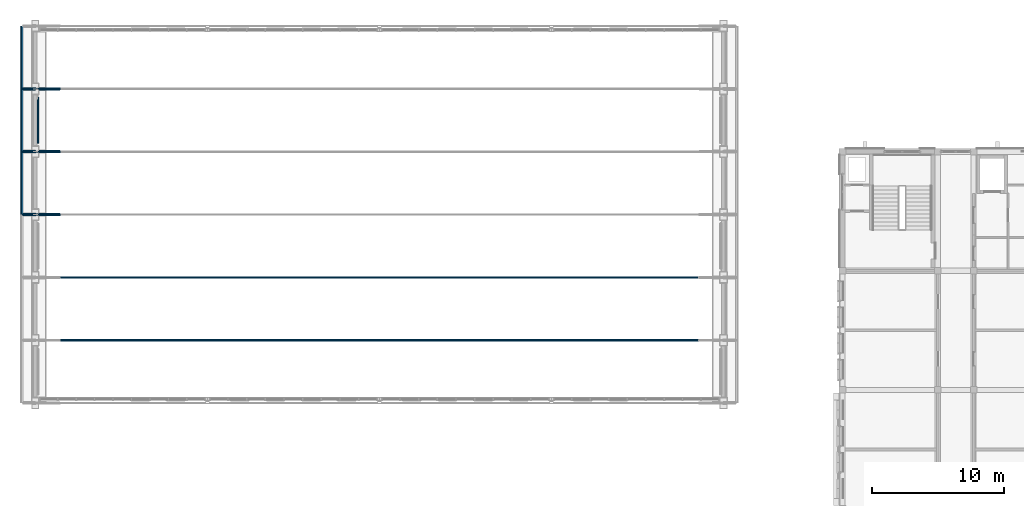
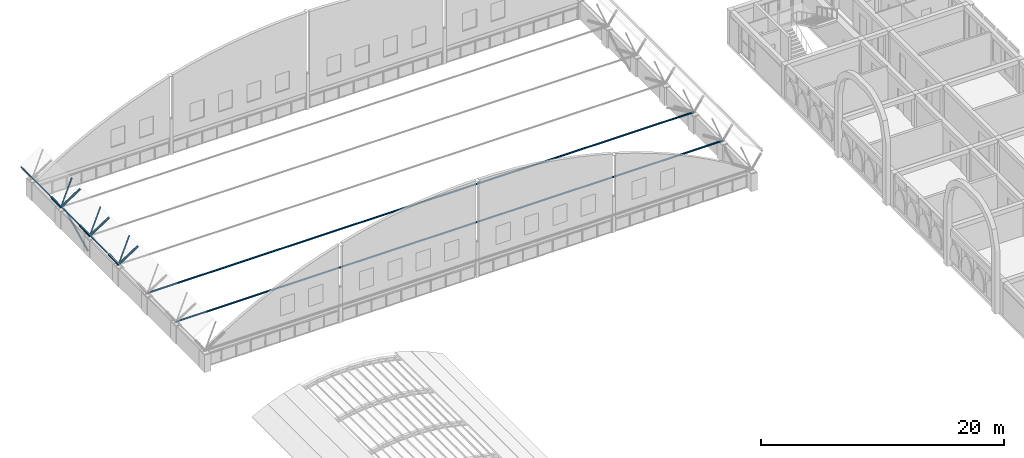
# One storey, part 13 of 65: 15 members.
"""IFC4 building model written with IfcOpenShell, lengths in metres."""

import ifcopenshell
import ifcopenshell.guid

model = None  # the IFC model being written
_history = None  # IfcOwnerHistory: only IFC2X3 demands one
_inside = {}  # id of a spatial element -> (the spatial element, [elements in it])
_under = {}  # id of a project, library or spatial element -> (it, [spatial elements below it])
_declared = {}  # id of a project -> (the project, [libraries it declares])
_typed = {}  # id of a type object -> (the type object, [elements of that type])
_made_of = {}  # id of a material, layer set ... -> (it, [elements and type objects made of it])


def new_model(schema):
    """Start an empty IFC model of exactly this schema.

    Asked for "IFC4X3", IfcOpenShell would pick the latest addendum, in which some entities
    have other attributes; the version numbers below select the first issue.
    IFC2X3 requires an IfcOwnerHistory on every rooted entity: one is made here for all.
    """
    global model, _history
    if schema == "IFC4X3":
        model = ifcopenshell.file(schema_version=(4, 3, 0, 0))
    else:
        model = ifcopenshell.file(schema=schema)
    _inside.clear()
    _under.clear()
    _declared.clear()
    _typed.clear()
    _made_of.clear()
    _history = None
    if model.schema == "IFC2X3":
        org = make("IfcOrganization", Name="unknown")
        user = make(
            "IfcPersonAndOrganization",
            ThePerson=make("IfcPerson", FamilyName="unknown"),
            TheOrganization=org,
        )
        app = make(
            "IfcApplication",
            ApplicationDeveloper=org,
            Version="unknown",
            ApplicationFullName="unknown",
            ApplicationIdentifier="unknown",
        )
        _history = make(
            "IfcOwnerHistory",
            OwningUser=user,
            OwningApplication=app,
            ChangeAction="ADDED",
            CreationDate=0,
        )
    return model


def make(cls, **values):
    """One entity of the class cls with the attributes given. An attribute that is None is left unset."""
    return model.create_entity(
        cls, **{name: value for name, value in values.items() if value is not None}
    )


def rooted(cls, **values):
    """An entity with a GlobalId (a new one), such as an element, a storey or a relation."""
    return make(cls, GlobalId=ifcopenshell.guid.new(), OwnerHistory=_history, **values)


def si_unit(unit_type, name, prefix=None):
    """IfcSIUnit, for example si_unit("LENGTHUNIT", "METRE", prefix="MILLI")."""
    return make("IfcSIUnit", UnitType=unit_type, Prefix=prefix, Name=name)


def assignment(units):
    """IfcUnitAssignment: the units of a project."""
    return None if units is None else make("IfcUnitAssignment", Units=units)


def point(xyz):
    """IfcCartesianPoint."""
    return None if xyz is None else make("IfcCartesianPoint", Coordinates=xyz)


def direction(xyz):
    """IfcDirection."""
    return None if xyz is None else make("IfcDirection", DirectionRatios=xyz)


def frame(location, z_axis=None, x_axis=None):
    """IfcAxis2Placement3D, a coordinate frame: its origin and axes. An axis left out is left unset."""
    return make(
        "IfcAxis2Placement3D",
        Location=point(location),
        Axis=direction(z_axis),
        RefDirection=direction(x_axis),
    )


def frame_2d(location, x_axis=None):
    """IfcAxis2Placement2D, a coordinate frame in the plane: its origin and x axis."""
    return make(
        "IfcAxis2Placement2D", Location=point(location), RefDirection=direction(x_axis)
    )


def origin():
    """The frame at (0, 0, 0) with its axes left unset."""
    return frame((0.0, 0.0, 0.0))


def origin_2d():
    """The frame at (0, 0) in the plane with its x axis left unset."""
    return frame_2d((0.0, 0.0))


def place(relative_to, where):
    """IfcLocalPlacement: puts the frame where relative to a parent placement (None: the world)."""
    return make(
        "IfcLocalPlacement", PlacementRelTo=relative_to, RelativePlacement=where
    )


def context(
    kind, dimensions, precision=None, world=None, true_north=None, identifier=None
):
    """IfcGeometricRepresentationContext, for example the 3D "Model" context."""
    return make(
        "IfcGeometricRepresentationContext",
        ContextIdentifier=identifier,
        ContextType=kind,
        CoordinateSpaceDimension=dimensions,
        Precision=precision,
        WorldCoordinateSystem=world,
        TrueNorth=true_north,
    )


def subcontext(parent, identifier, kind, view, scale=None):
    """IfcGeometricRepresentationSubContext, for example "Body" below "Model"."""
    return make(
        "IfcGeometricRepresentationSubContext",
        ContextIdentifier=identifier,
        ContextType=kind,
        ParentContext=parent,
        TargetScale=scale,
        TargetView=view,
    )


def project(units=None, contexts=None):
    """IfcProject with its units and contexts."""
    return rooted(
        "IfcProject",
        Name="project",
        RepresentationContexts=contexts,
        UnitsInContext=assignment(units),
    )


def spatial(cls, under=None, at=None, **own):
    """A site, building, storey or space (cls), placed at a placement, below another one or the project."""
    s = rooted(cls, ObjectPlacement=at, **own)
    if under is not None:
        _under.setdefault(under.id(), (under, []))[1].append(s)
    return s


def profile(cls, at=None, kind="AREA", **sizes):
    """A parametric profile (cls). Its sizes go by their IFC names, for example OverallWidth=200.0."""
    return make(cls, ProfileType=kind, Position=at, **sizes)


def hollow_rectangle(**sizes):
    """IfcRectangleHollowProfileDef."""
    return profile("IfcRectangleHollowProfileDef", **sizes)


def hollow_circle(**sizes):
    """IfcCircleHollowProfileDef."""
    return profile("IfcCircleHollowProfileDef", **sizes)


def extrude(swept, where, along, depth):
    """IfcExtrudedAreaSolid: the profile swept, set in the frame where, extruded along a direction by depth."""
    return make(
        "IfcExtrudedAreaSolid",
        SweptArea=swept,
        Position=where,
        ExtrudedDirection=direction(along),
        Depth=depth,
    )


def shape(context_of_items, identifier, shape_type, items):
    """IfcShapeRepresentation: the items that make up one representation, for example the "Body"."""
    return make(
        "IfcShapeRepresentation",
        ContextOfItems=context_of_items,
        RepresentationIdentifier=identifier,
        RepresentationType=shape_type,
        Items=items,
    )


def material(Name=None, Category=None):
    """IfcMaterial."""
    return make("IfcMaterial", Name=Name, Category=Category)


def material_profile(
    of_material, cross_section, Name=None, Category=None, Priority=None
):
    """IfcMaterialProfile: a cross section and its material."""
    return make(
        "IfcMaterialProfile",
        Name=Name,
        Material=of_material,
        Profile=cross_section,
        Priority=Priority,
        Category=Category,
    )


def profile_set(profiles, Name=None, composite=None):
    """IfcMaterialProfileSet."""
    return make(
        "IfcMaterialProfileSet",
        Name=Name,
        MaterialProfiles=profiles,
        CompositeProfile=composite,
    )


def made_of(thing, what):
    """Note that an element or type object is made of a material, layer set ...; save() writes the relation."""
    if what is not None:
        _made_of.setdefault(what.id(), (what, []))[1].append(thing)
    return thing


def type_object(cls, material=None, **own):
    """A type object (cls), such as IfcWallType, which elements share."""
    return made_of(rooted(cls, **own), material)


def element(
    cls,
    number,
    at=None,
    inside=None,
    cuts=None,
    type_object=None,
    material=None,
    context=None,
    identifier="Body",
    shape_type=None,
    held_by="IfcProductDefinitionShape",
    body=None,
    shapes=None,
    **own,
):
    """One element of the class cls, such as IfcWall. Its Tag is "e" and its number.

    at: its placement. inside: the storey or other place that contains it. cuts: it is an
    opening in that element (IfcRelVoidsElement). A single representation is given by context,
    identifier, shape_type and body (its items); several are given by shapes. held_by: the class
    of the entity that holds the representations. save() writes the other relations.
    """
    e = rooted(cls, Tag="e%d" % number, ObjectPlacement=at, **own)
    if body is not None:
        shapes = [shape(context, identifier, shape_type, body)]
    if shapes is not None:
        e.Representation = make(held_by, Representations=shapes)
    if inside is not None:
        _inside.setdefault(inside.id(), (inside, []))[1].append(e)
    if cuts is not None:
        rooted(
            "IfcRelVoidsElement", RelatingBuildingElement=cuts, RelatedOpeningElement=e
        )
    if type_object is not None:
        _typed.setdefault(type_object.id(), (type_object, []))[1].append(e)
    return made_of(e, material)


def aggregate(whole, parts):
    """IfcRelAggregates: a whole, such as a stair, and the parts it consists of."""
    return rooted("IfcRelAggregates", RelatingObject=whole, RelatedObjects=parts)


def save(model, path):
    """Write the relations noted so far, then the file.

    IfcRelAggregates (storeys below a building ...), IfcRelContainedInSpatialStructure (elements
    in a storey), IfcRelDefinesByType, IfcRelAssociatesMaterial and IfcRelDeclares: one each for
    every whole, place, type object, material and project.
    """
    for whole, parts in _under.values():
        aggregate(whole, parts)
    for where, things in _inside.values():
        rooted(
            "IfcRelContainedInSpatialStructure",
            RelatedElements=things,
            RelatingStructure=where,
        )
    for kind, things in _typed.values():
        rooted("IfcRelDefinesByType", RelatedObjects=things, RelatingType=kind)
    for what, things in _made_of.values():
        rooted("IfcRelAssociatesMaterial", RelatedObjects=things, RelatingMaterial=what)
    for by, libraries in _declared.values():
        rooted("IfcRelDeclares", RelatingContext=by, RelatedDefinitions=libraries)
    model.write(path)


model = new_model("IFC4")

# Units and contexts
model_context = context("Model", 3, precision=1e-05, world=origin(), true_north=direction((0.0, 1.0)))
body_context = subcontext(model_context, "Body", "Model", "MODEL_VIEW")
ifc_project = project(units=[si_unit("LENGTHUNIT", "METRE"), si_unit("AREAUNIT", "SQUARE_METRE"), si_unit("VOLUMEUNIT", "CUBIC_METRE"), si_unit("PLANEANGLEUNIT", "RADIAN"), si_unit("MASSUNIT", "GRAM", prefix="KILO")], contexts=[model_context])

# Site, building, storey
site_placement = place(None, origin())
site = spatial("IfcSite", under=ifc_project, at=site_placement, CompositionType="ELEMENT")
building_placement = place(site_placement, origin())
building = spatial("IfcBuilding", under=site, at=building_placement, Name="Elbe Cascade School", CompositionType="ELEMENT")
storey_placement = place(building_placement, frame((0.0, 0.0, 11.699951171875)))
storey = spatial("IfcBuildingStorey", under=building, at=storey_placement, Name="L03", CompositionType="ELEMENT", Elevation=11.699951171875)

# Members
ifc_material_1 = material(Name="Steel S355J2H", Category="steel")
ifc_material_profile_1 = material_profile(ifc_material_1, hollow_circle(Radius=0.109619140625, WallThickness=0.012451171875, at=origin_2d()), Name="CHS 219.1x12.5")
ifc_profile_set_1 = profile_set([ifc_material_profile_1], Name="Steel S355J2H")
member_type_1 = type_object("IfcMemberType", Name="Hall rib bottom chord CHS 219.1x12.5", PredefinedType="CHORD", material=ifc_profile_set_1)
for number, where, z_axis, x_axis, name in (
    (1, (8.0, 55.25, 1.89208984375), (0.840233339688, 0.0, 0.542224985478), (0.0, 1.0, 0.0), "Hall rib bottom chord CHS 219.1x12.5 M3"),
    (2, (8.0, 60.0, 1.89208984375), (0.840233339688, 0.0, 0.542224985478), (0.0, 1.0, 0.0), "Hall rib bottom chord CHS 219.1x12.5 M3"),
    (3, (8.0, 64.75, 1.89208984375), (0.840233339688, 0.0, 0.542224985478), (0.0, 1.0, 0.0), "Hall rib bottom chord CHS 219.1x12.5 M3"),
):
    element("IfcMember", number, at=place(storey_placement, frame(where, z_axis=z_axis, x_axis=x_axis)), inside=storey, type_object=member_type_1, Name=name, PredefinedType="CHORD", context=body_context, shape_type="SweptSolid", body=[
        extrude(hollow_circle(Radius=0.109619140625, WallThickness=0.012451171875, at=origin_2d()), origin(), (0.0, 0.0, 1.0), 2.210205078125),
    ])
ifc_material_2 = material(Name="Steel S355J2H", Category="steel")
ifc_material_profile_2 = material_profile(ifc_material_2, hollow_circle(Radius=0.109619140625, WallThickness=0.012451171875, at=origin_2d()), Name="CHS 219.1x12.5")
ifc_profile_set_2 = profile_set([ifc_material_profile_2], Name="Steel S355J2H")
member_type_2 = type_object("IfcMemberType", Name="Hall rib end post CHS 219.1x12.5", PredefinedType="POST", material=ifc_profile_set_2)
for number, where, z_axis, x_axis, name in (
    (4, (8.0, 55.25, 1.89208984375), (-0.562143062018, 0.0, 0.827040009809), (0.0, -1.0, 0.0), "Hall rib end post CHS 219.1x12.5 M5"),
    (5, (8.0, 60.0, 1.89208984375), (-0.562143062018, 0.0, 0.827040009809), (0.0, -1.0, 0.0), "Hall rib end post CHS 219.1x12.5 M5"),
    (6, (8.0, 64.75, 1.89208984375), (-0.562143062018, 0.0, 0.827040009809), (0.0, -1.0, 0.0), "Hall rib end post CHS 219.1x12.5 M5"),
):
    element("IfcMember", number, at=place(storey_placement, frame(where, z_axis=z_axis, x_axis=x_axis)), inside=storey, type_object=member_type_2, Name=name, PredefinedType="POST", context=body_context, shape_type="SweptSolid", body=[
        extrude(hollow_circle(Radius=0.109619140625, WallThickness=0.012451171875, at=origin_2d()), origin(), (0.0, 0.0, 1.0), 1.599853515625),
    ])
ifc_material_3 = material(Name="Steel S355J2H", Category="steel")
ifc_material_profile_3 = material_profile(ifc_material_3, hollow_circle(Radius=0.084228515625, WallThickness=0.010009765625, at=origin_2d()), Name="CHS 168.3x10")
ifc_profile_set_3 = profile_set([ifc_material_profile_3], Name="Steel S355J2H")
member_type_3 = type_object("IfcMemberType", Name="Hall rib tie CHS 168.3x10", PredefinedType="MEMBER", material=ifc_profile_set_3)
for number, where, z_axis, x_axis, name in (
    (7, (8.0, 45.75, 1.89208984375), (1.0, 0.0, 0.0), (0.0, 1.0, 0.0), "Hall rib tie CHS 168.3x10 M6"),
    (8, (8.0, 50.5, 1.89208984375), (1.0, 0.0, 0.0), (0.0, 1.0, 0.0), "Hall rib tie CHS 168.3x10 M6"),
):
    element("IfcMember", number, at=place(storey_placement, frame(where, z_axis=z_axis, x_axis=x_axis)), inside=storey, type_object=member_type_3, Name=name, PredefinedType="MEMBER", context=body_context, shape_type="SweptSolid", body=[
        extrude(hollow_circle(Radius=0.084228515625, WallThickness=0.010009765625, at=origin_2d()), origin(), (0.0, 0.0, 1.0), 52.0),
    ])
ifc_material_4 = material(Name="Steel S355J2H", Category="steel")
ifc_material_profile_4 = material_profile(ifc_material_4, hollow_circle(Radius=0.06982421875, WallThickness=0.008056640625, at=origin_2d()), Name="CHS 139.7x8")
ifc_profile_set_4 = profile_set([ifc_material_profile_4], Name="Steel S355J2H")
member_type_4 = type_object("IfcMemberType", Name="Hall rib web CHS 139.7x8", PredefinedType="BRACE", material=ifc_profile_set_4)
for number, where, z_axis, x_axis, name in (
    (9, (8.0, 55.25, 1.89208984375), (0.370353160415, 0.0, 0.928891025132), (0.0, 1.0, 0.0), "Hall rib web CHS 139.7x8 M4"),
    (10, (8.0, 60.0, 1.89208984375), (0.370353160415, 0.0, 0.928891025132), (0.0, 1.0, 0.0), "Hall rib web CHS 139.7x8 M4"),
    (11, (8.0, 64.75, 1.89208984375), (0.370353160415, 0.0, 0.928891025132), (0.0, 1.0, 0.0), "Hall rib web CHS 139.7x8 M4"),
):
    element("IfcMember", number, at=place(storey_placement, frame(where, z_axis=z_axis, x_axis=x_axis)), inside=storey, type_object=member_type_4, Name=name, PredefinedType="BRACE", context=body_context, shape_type="SweptSolid", body=[
        extrude(hollow_circle(Radius=0.06982421875, WallThickness=0.008056640625, at=origin_2d()), origin(), (0.0, 0.0, 1.0), 2.759521484375),
    ])
ifc_material_5 = material(Name="Steel S355J2H", Category="steel")
ifc_material_profile_5 = material_profile(ifc_material_5, hollow_rectangle(XDim=0.10009765625, YDim=0.199951171875, WallThickness=0.008056640625, InnerFilletRadius=0.008056640625, OuterFilletRadius=0.011962890625, at=origin_2d()), Name="RHS 200x100x8")
ifc_profile_set_5 = profile_set([ifc_material_profile_5], Name="Steel S355J2H")
member_type_5 = type_object("IfcMemberType", Name="Hall roof purlin RHS 200x100x8", PredefinedType="PURLIN", material=ifc_profile_set_5)
for number, where, z_axis, x_axis, name in (
    (12, (6.984375, 55.25, 3.38623046875), (0.0, 1.0, 0.0), (-0.827027027028, 0.0, -0.562162162161), "Hall roof purlin RHS 200x100x8 M8"),
    (13, (6.984375, 60.0, 3.38623046875), (0.0, 1.0, 0.0), (-0.827027027028, 0.0, -0.562162162161), "Hall roof purlin RHS 200x100x8 M8"),
    (14, (6.984375, 64.75, 3.38623046875), (0.0, 1.0, 0.0), (-0.827027027028, 0.0, -0.562162162161), "Hall roof purlin RHS 200x100x8 M8"),
):
    element("IfcMember", number, at=place(storey_placement, frame(where, z_axis=z_axis, x_axis=x_axis)), inside=storey, type_object=member_type_5, Name=name, PredefinedType="PURLIN", context=body_context, shape_type="SweptSolid", body=[
        extrude(hollow_rectangle(XDim=0.10009765625, YDim=0.199951171875, WallThickness=0.008056640625, InnerFilletRadius=0.008056640625, OuterFilletRadius=0.011962890625, at=origin_2d()), origin(), (0.0, 0.0, 1.0), 4.75),
    ])
ifc_material_6 = material(Name="Steel S355J2H", Category="steel")
ifc_material_profile_6 = material_profile(ifc_material_6, hollow_circle(Radius=0.084228515625, WallThickness=0.010009765625, at=origin_2d()), Name="CHS 168.3x10")
ifc_profile_set_6 = profile_set([ifc_material_profile_6], Name="Steel S355J2H")
member_type_6 = type_object("IfcMemberType", Name="Hall wall bracing CHS 168.3x10", PredefinedType="BRACE", material=ifc_profile_set_6)
member_placement = place(storey_placement, frame((8.2041015625, 60.64990234375, -0.099853515625), z_axis=(0.0, 0.89702706343, 0.441975618643), x_axis=(-1.0, 0.0, 0.0)))
element("IfcMember", 15, at=member_placement, inside=storey, type_object=member_type_6, Name="Hall wall bracing CHS 168.3x10 M10", PredefinedType="BRACE", context=body_context, shape_type="SweptSolid", body=[
    extrude(hollow_circle(Radius=0.084228515625, WallThickness=0.010009765625, at=origin_2d()), origin(), (0.0, 0.0, 1.0), 3.84619140625),
])

save(model, "model.ifc")
